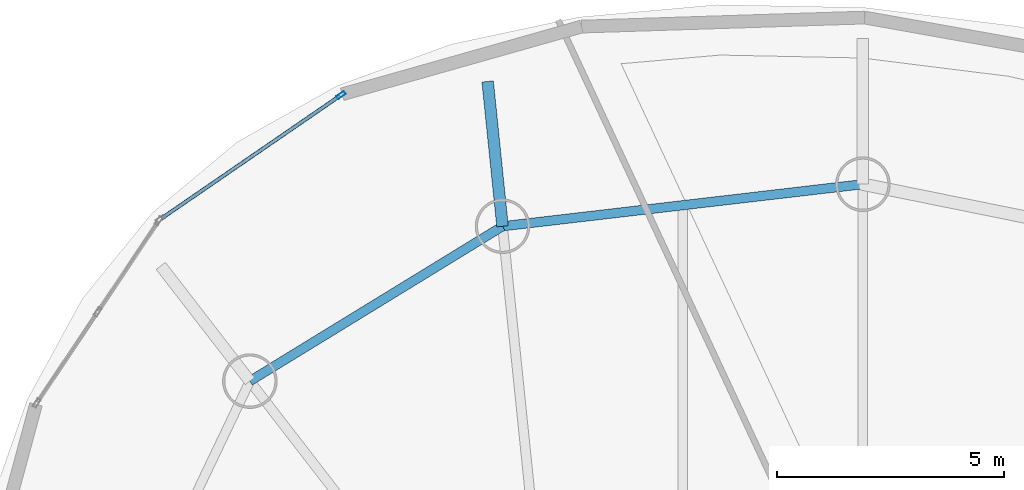
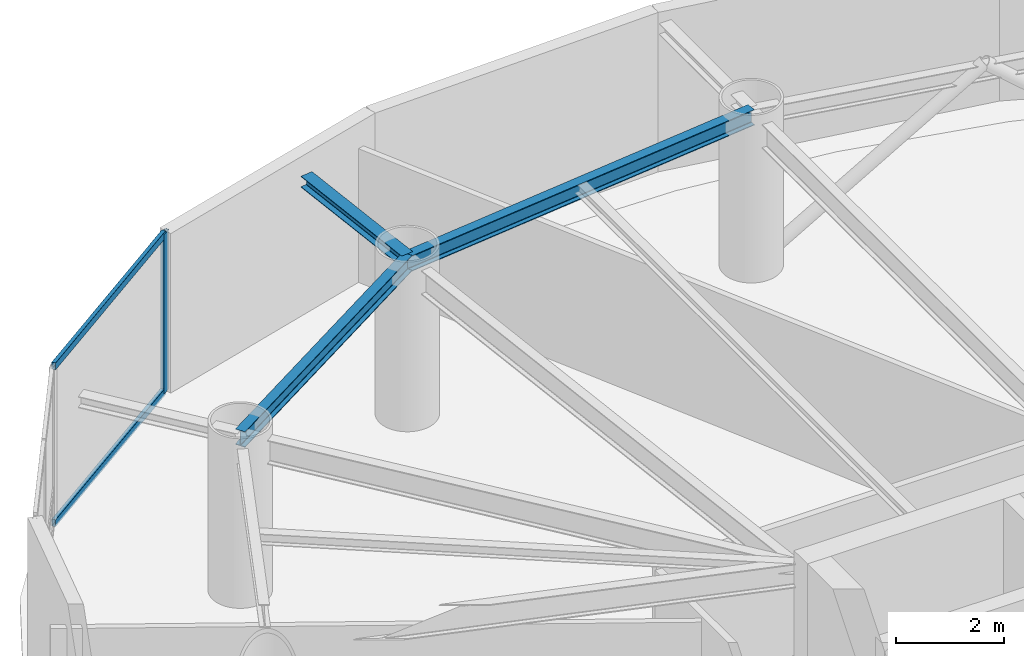
# One storey, part 8 of 16: 3 beams, 3 members, 1 element without a shape of its own.
"""IFC4 building model written with IfcOpenShell, lengths in metres."""

from ifc_helpers import new_model, si_unit, direction, frame, origin, origin_2d, place, context, subcontext, project, spatial, hollow_rectangle, i_section, extrude, material, layer, layer_set, material_profile, profile_set, type_object, element, aggregate, save


model = new_model("IFC4")

# Units and contexts
model_context = context("Model", 3, precision=1e-05, world=origin(), true_north=direction((0.0, 1.0)))
body_context = subcontext(model_context, "Body", "Model", "MODEL_VIEW")
ifc_project = project(units=[si_unit("LENGTHUNIT", "METRE"), si_unit("AREAUNIT", "SQUARE_METRE"), si_unit("VOLUMEUNIT", "CUBIC_METRE"), si_unit("PLANEANGLEUNIT", "RADIAN"), si_unit("MASSUNIT", "GRAM", prefix="KILO")], contexts=[model_context])

# Site, building, storey
site_placement = place(None, origin())
site = spatial("IfcSite", under=ifc_project, at=site_placement, CompositionType="ELEMENT")
building_placement = place(site_placement, origin())
building = spatial("IfcBuilding", under=site, at=building_placement, Name="Bramvorn Convention Spire", CompositionType="ELEMENT")
storey_placement = place(building_placement, frame((0.0, 0.0, 209.699951171875)))
storey = spatial("IfcBuildingStorey", under=building, at=storey_placement, Name="L53", CompositionType="ELEMENT", Elevation=209.699951171875)

# Beams
ifc_material_1 = material(Name="Steel CSA G40.21 Grade 350 (350W)", Category="steel")
ifc_material_profile_1 = material_profile(ifc_material_1, i_section(OverallWidth=0.25390625, OverallDepth=0.2529296875, WebThickness=0.008544921875, FlangeThickness=0.01416015625, FilletRadius=0.011962890625, at=origin_2d()))
ifc_profile_set_1 = profile_set([ifc_material_profile_1], Name="Steel CSA G40.21 Grade 350 (350W) - W250X73")
beam_type_1 = type_object("IfcBeamType", Name="BM-W250X73", PredefinedType="BEAM", material=ifc_profile_set_1)
beam_1_placement = place(storey_placement, frame((25.49560546875, 45.663818359375, 3.49365234375), z_axis=(-0.10223018875, 0.994760769486, 0.0), x_axis=(-0.994760769486, -0.10223018875, 0.0)))
element("IfcBeam", 1, at=beam_1_placement, inside=storey, type_object=beam_type_1, Name="L53 slab-edge cantilever tip beam MC08", PredefinedType="BEAM", context=body_context, shape_type="SweptSolid", body=[
    extrude(i_section(OverallWidth=0.25390625, OverallDepth=0.2529296875, WebThickness=0.008544921875, FlangeThickness=0.01416015625, FilletRadius=0.011962890625, at=origin_2d()), origin(), (0.0, 0.0, 1.0), 3.2001953125),
])
ifc_material_profile_2 = material_profile(ifc_material_1, i_section(OverallWidth=0.205078125, OverallDepth=0.35400390625, WebThickness=0.009521484375, FlangeThickness=0.016845703125, FilletRadius=0.014892578125, at=origin_2d()))
ifc_profile_set_2 = profile_set([ifc_material_profile_2], Name="Steel CSA G40.21 Grade 350 (350W) - W360X79")
beam_type_2 = type_object("IfcBeamType", Name="BM-W360X79", PredefinedType="JOIST", material=ifc_profile_set_2)
beam_2_placement = place(storey_placement, frame((33.416259765625, 46.58837890625, 3.443115234375), z_axis=(-0.993256148339, -0.115940604561, 0.0), x_axis=(0.115940604561, -0.993256148339, 0.0)))
element("IfcBeam", 2, at=beam_2_placement, inside=storey, type_object=beam_type_2, Name="L53 mega-column ring beam 07", PredefinedType="JOIST", context=body_context, shape_type="SweptSolid", body=[
    extrude(i_section(OverallWidth=0.205078125, OverallDepth=0.35400390625, WebThickness=0.009521484375, FlangeThickness=0.016845703125, FilletRadius=0.014892578125, at=origin_2d()), origin(), (0.0, 0.0, 1.0), 7.974365234375),
])
beam_3_placement = place(storey_placement, frame((25.49560546875, 45.663818359375, 3.443115234375), z_axis=(-0.852616873135, -0.522536570629, 0.0), x_axis=(0.522536570629, -0.852616873135, 0.0)))
element("IfcBeam", 3, at=beam_3_placement, inside=storey, type_object=beam_type_2, Name="L53 mega-column ring beam 08", PredefinedType="JOIST", context=body_context, shape_type="SweptSolid", body=[
    extrude(i_section(OverallWidth=0.205078125, OverallDepth=0.35400390625, WebThickness=0.009521484375, FlangeThickness=0.016845703125, FilletRadius=0.014892578125, at=origin_2d()), origin(), (0.0, 0.0, 1.0), 6.513916015625),
])

# Curtain wall, members
ifc_material_2 = material(Name="Anodised Bronze Unitised Curtain Wall", Category="aluminium")
ifc_layer = layer(ifc_material_2, 0.179931640625)
ifc_layer_set = layer_set([ifc_layer], Name="Anodised Bronze Unitised Curtain Wall - CW-OFF-FRIT")
curtain_wall_type = type_object("IfcCurtainWallType", Name="CW-OFF-FRIT", PredefinedType="USERDEFINED", material=ifc_layer_set)
curtain_wall_placement = place(storey_placement, origin())
curtain_wall = element("IfcCurtainWall", 4, at=curtain_wall_placement, inside=storey, type_object=curtain_wall_type, Name="L53 fritted glass curtain wall 12", ObjectType="UNITISED CURTAIN WALL", PredefinedType="USERDEFINED")
ifc_material_3 = material(Name="Anodised Bronze Aluminium 6063-T6", Category="aluminium")
ifc_material_profile_3 = material_profile(ifc_material_3, hollow_rectangle(XDim=0.080078125, YDim=0.199951171875, WallThickness=0.00390625, InnerFilletRadius=0.0009765625, OuterFilletRadius=0.00390625, at=origin_2d()))
ifc_profile_set_3 = profile_set([ifc_material_profile_3], Name="Anodised Bronze Aluminium 6063-T6 - CWM80X200")
member_type_1 = type_object("IfcMemberType", Name="CW-MUL-180", PredefinedType="MULLION", material=ifc_profile_set_3)
member_1_placement = place(storey_placement, frame((21.947265625, 48.5478515625, 0.0), z_axis=(0.0, 0.0, 1.0), x_axis=(-0.566151903428, 0.824300929421, 0.0)))
member_1 = element("IfcMember", 5, at=member_1_placement, type_object=member_type_1, Name="CW3 mullion 2", PredefinedType="MULLION", context=body_context, shape_type="SweptSolid", body=[
    extrude(hollow_rectangle(XDim=0.080078125, YDim=0.199951171875, WallThickness=0.00390625, InnerFilletRadius=0.0009765625, OuterFilletRadius=0.00390625, at=origin_2d()), origin(), (0.0, 0.0, 1.0), 3.6201171875),
])
ifc_material_profile_4 = material_profile(ifc_material_3, hollow_rectangle(XDim=0.080078125, YDim=0.159912109375, WallThickness=0.00390625, InnerFilletRadius=0.0009765625, OuterFilletRadius=0.00390625, at=origin_2d()))
ifc_profile_set_4 = profile_set([ifc_material_profile_4], Name="Anodised Bronze Aluminium 6063-T6 - CWT80X160")
member_type_2 = type_object("IfcMemberType", Name="CW-TRN-150", PredefinedType="USERDEFINED", material=ifc_profile_set_4)
member_2_placement = place(storey_placement, frame((18.001953125, 45.838134765625, 0.030029296875), z_axis=(0.824278493826, 0.566184567624, 0.0), x_axis=(-0.566184567624, 0.824278493826, 0.0)))
member_2 = element("IfcMember", 6, at=member_2_placement, type_object=member_type_2, Name="CW3 transom 1.1", ObjectType="TRANSOM", PredefinedType="USERDEFINED", context=body_context, shape_type="SweptSolid", body=[
    extrude(hollow_rectangle(XDim=0.080078125, YDim=0.159912109375, WallThickness=0.00390625, InnerFilletRadius=0.0009765625, OuterFilletRadius=0.00390625, at=origin_2d()), origin(), (0.0, 0.0, 1.0), 4.756103515625),
])
member_3_placement = place(storey_placement, frame((18.001953125, 45.838134765625, 3.590087890625), z_axis=(0.824278493826, 0.566184567624, 0.0), x_axis=(-0.566184567624, 0.824278493826, 0.0)))
member_3 = element("IfcMember", 7, at=member_3_placement, type_object=member_type_2, Name="CW3 transom 1.2", ObjectType="TRANSOM", PredefinedType="USERDEFINED", context=body_context, shape_type="SweptSolid", body=[
    extrude(hollow_rectangle(XDim=0.080078125, YDim=0.159912109375, WallThickness=0.00390625, InnerFilletRadius=0.0009765625, OuterFilletRadius=0.00390625, at=origin_2d()), origin(), (0.0, 0.0, 1.0), 4.756103515625),
])
aggregate(curtain_wall, [member_1, member_2, member_3])

save(model, "model.ifc")
